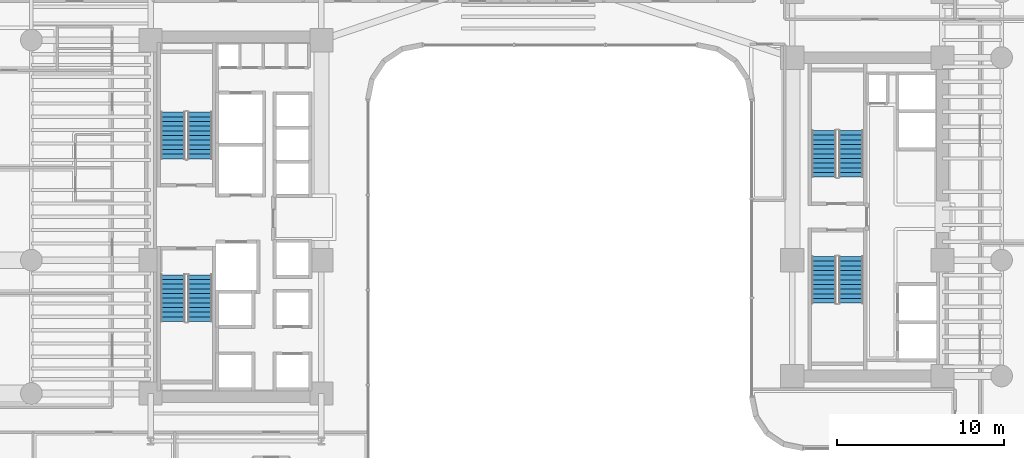
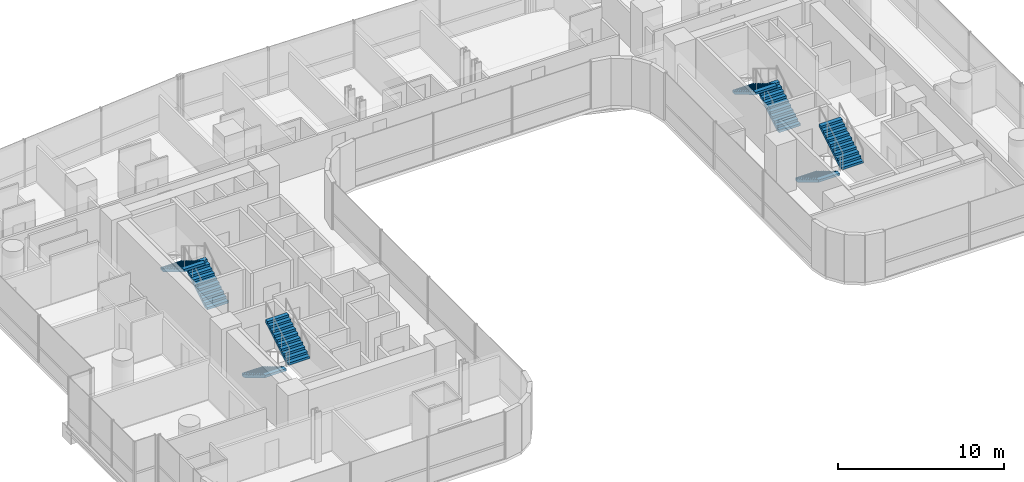
# One storey, part 35 of 40: 8 stair flights, 4 elements without a shape of their own.
"""IFC4 building model written with IfcOpenShell, lengths in metres."""

from ifc_helpers import new_model, si_unit, direction, frame, origin, place, context, subcontext, project, spatial, polyline, outline, extrude, material, type_object, element, aggregate, save


model = new_model("IFC4")

# Units and contexts
model_context = context("Model", 3, precision=1e-05, world=origin(), true_north=direction((0.0, 1.0)))
body_context = subcontext(model_context, "Body", "Model", "MODEL_VIEW")
ifc_project = project(units=[si_unit("LENGTHUNIT", "METRE"), si_unit("AREAUNIT", "SQUARE_METRE"), si_unit("VOLUMEUNIT", "CUBIC_METRE"), si_unit("PLANEANGLEUNIT", "RADIAN"), si_unit("MASSUNIT", "GRAM", prefix="KILO")], contexts=[model_context])

# Site, building, storey
site_placement = place(None, origin())
site = spatial("IfcSite", under=ifc_project, at=site_placement, CompositionType="ELEMENT")
building_placement = place(site_placement, origin())
building = spatial("IfcBuilding", under=site, at=building_placement, Name="Valdorenza Pilgrim Sanctuary Tower", CompositionType="ELEMENT")
storey_placement = place(building_placement, frame((0.0, 0.0, 92.60009765625)))
storey = spatial("IfcBuildingStorey", under=building, at=storey_placement, Name="L23", CompositionType="ELEMENT", Elevation=92.60009765625)

# Stair, stair flights
ifc_material = material(Name="Concrete C40/50", Category="concrete")
stair_type = type_object("IfcStairType", Name="STR-DOG-CORE", PredefinedType="HALF_TURN_STAIR", material=ifc_material)
stair_1_placement = place(storey_placement, origin())
stair_1 = element("IfcStair", 1, at=stair_1_placement, inside=storey, type_object=stair_type, Name="L23 ST-A1", PredefinedType="HALF_TURN_STAIR")
stair_flight_type = type_object("IfcStairFlightType", Name="STF-RC-1400", PredefinedType="STRAIGHT", material=ifc_material)
stair_flight_1_placement = place(storey_placement, frame((-19.679931640625, 3.47998046875, 0.0), z_axis=(0.0, 0.0, 1.0), x_axis=(0.0, 1.0, 0.0)))
stair_flight_1 = element("IfcStairFlight", 2, at=stair_flight_1_placement, type_object=stair_flight_type, Name="ST-A1 flight 1", NumberOfRisers=11, NumberOfTreads=10, PredefinedType="STRAIGHT", RiserHeight=0.168181818, TreadLength=0.28, context=body_context, shape_type="SweptSolid", body=[
    extrude(outline(polyline([(0.0, 0.0), (0.0, 0.168212890625), (0.280029296875, 0.168212890625), (0.280029296875, 0.33642578125), (0.56005859375, 0.33642578125), (0.56005859375, 0.504638671875), (0.840087890625, 0.504638671875), (0.840087890625, 0.672607421875), (1.1201171875, 0.672607421875), (1.1201171875, 0.8408203125), (1.39990234375, 0.8408203125), (1.39990234375, 1.009033203125), (1.679931640625, 1.009033203125), (1.679931640625, 1.17724609375), (1.9599609375, 1.17724609375), (1.9599609375, 1.345458984375), (2.239990234375, 1.345458984375), (2.239990234375, 1.513671875), (2.52001953125, 1.513671875), (2.52001953125, 1.681884765625), (2.800048828125, 1.681884765625), (2.800048828125, 1.85009765625), (2.800048828125, 1.5068359375), (0.291015625, 0.0), (0.0, 0.0)])), frame((0.0, 0.739990234375, 0.0), z_axis=(0.0, -1.0, 0.0), x_axis=(1.0, 0.0, 0.0)), (0.0, 0.0, 1.0), 1.47998046875),
])
stair_flight_2_placement = place(storey_placement, frame((-21.31005859375, 6.280029296875, 1.849853515625), z_axis=(0.0, 0.0, 1.0), x_axis=(0.0, -1.0, 0.0)))
stair_flight_2 = element("IfcStairFlight", 3, at=stair_flight_2_placement, type_object=stair_flight_type, Name="ST-A1 flight 2", NumberOfRisers=11, NumberOfTreads=10, PredefinedType="STRAIGHT", RiserHeight=0.168181818, TreadLength=0.28, context=body_context, shape_type="SweptSolid", body=[
    extrude(outline(polyline([(0.0, 0.0), (0.0, 0.168212890625), (0.280029296875, 0.168212890625), (0.280029296875, 0.33642578125), (0.56005859375, 0.33642578125), (0.56005859375, 0.504638671875), (0.840087890625, 0.504638671875), (0.840087890625, 0.672607421875), (1.1201171875, 0.672607421875), (1.1201171875, 0.8408203125), (1.39990234375, 0.8408203125), (1.39990234375, 1.009033203125), (1.679931640625, 1.009033203125), (1.679931640625, 1.17724609375), (1.9599609375, 1.17724609375), (1.9599609375, 1.345458984375), (2.239990234375, 1.345458984375), (2.239990234375, 1.513671875), (2.52001953125, 1.513671875), (2.52001953125, 1.681884765625), (2.800048828125, 1.681884765625), (2.800048828125, 1.85009765625), (2.800048828125, 1.5068359375), (0.291015625, 0.0), (0.0, 0.0)])), frame((0.0, 0.739990234375, 0.0), z_axis=(0.0, -1.0, 0.0), x_axis=(1.0, 0.0, 0.0)), (0.0, 0.0, 1.0), 1.47998046875),
])
aggregate(stair_1, [stair_flight_1, stair_flight_2])

stair_2_placement = place(storey_placement, origin())
stair_2 = element("IfcStair", 4, at=stair_2_placement, inside=storey, type_object=stair_type, Name="L23 ST-A2", PredefinedType="HALF_TURN_STAIR")
stair_flight_3_placement = place(storey_placement, frame((-21.31005859375, -3.47998046875, 0.0), z_axis=(0.0, 0.0, 1.0), x_axis=(0.0, -1.0, 0.0)))
stair_flight_3 = element("IfcStairFlight", 5, at=stair_flight_3_placement, type_object=stair_flight_type, Name="ST-A2 flight 1", NumberOfRisers=11, NumberOfTreads=10, PredefinedType="STRAIGHT", RiserHeight=0.168181818, TreadLength=0.28, context=body_context, shape_type="SweptSolid", body=[
    extrude(outline(polyline([(0.0, 0.0), (0.0, 0.168212890625), (0.280029296875, 0.168212890625), (0.280029296875, 0.33642578125), (0.56005859375, 0.33642578125), (0.56005859375, 0.504638671875), (0.840087890625, 0.504638671875), (0.840087890625, 0.672607421875), (1.1201171875, 0.672607421875), (1.1201171875, 0.8408203125), (1.39990234375, 0.8408203125), (1.39990234375, 1.009033203125), (1.679931640625, 1.009033203125), (1.679931640625, 1.17724609375), (1.9599609375, 1.17724609375), (1.9599609375, 1.345458984375), (2.239990234375, 1.345458984375), (2.239990234375, 1.513671875), (2.52001953125, 1.513671875), (2.52001953125, 1.681884765625), (2.800048828125, 1.681884765625), (2.800048828125, 1.85009765625), (2.800048828125, 1.5068359375), (0.291015625, 0.0), (0.0, 0.0)])), frame((0.0, 0.739990234375, 0.0), z_axis=(0.0, -1.0, 0.0), x_axis=(1.0, 0.0, 0.0)), (0.0, 0.0, 1.0), 1.47998046875),
])
stair_flight_4_placement = place(storey_placement, frame((-19.679931640625, -6.280029296875, 1.849853515625), z_axis=(0.0, 0.0, 1.0), x_axis=(0.0, 1.0, 0.0)))
stair_flight_4 = element("IfcStairFlight", 6, at=stair_flight_4_placement, type_object=stair_flight_type, Name="ST-A2 flight 2", NumberOfRisers=11, NumberOfTreads=10, PredefinedType="STRAIGHT", RiserHeight=0.168181818, TreadLength=0.28, context=body_context, shape_type="SweptSolid", body=[
    extrude(outline(polyline([(0.0, 0.0), (0.0, 0.168212890625), (0.280029296875, 0.168212890625), (0.280029296875, 0.33642578125), (0.56005859375, 0.33642578125), (0.56005859375, 0.504638671875), (0.840087890625, 0.504638671875), (0.840087890625, 0.672607421875), (1.1201171875, 0.672607421875), (1.1201171875, 0.8408203125), (1.39990234375, 0.8408203125), (1.39990234375, 1.009033203125), (1.679931640625, 1.009033203125), (1.679931640625, 1.17724609375), (1.9599609375, 1.17724609375), (1.9599609375, 1.345458984375), (2.239990234375, 1.345458984375), (2.239990234375, 1.513671875), (2.52001953125, 1.513671875), (2.52001953125, 1.681884765625), (2.800048828125, 1.681884765625), (2.800048828125, 1.85009765625), (2.800048828125, 1.5068359375), (0.291015625, 0.0), (0.0, 0.0)])), frame((0.0, 0.739990234375, 0.0), z_axis=(0.0, -1.0, 0.0), x_axis=(1.0, 0.0, 0.0)), (0.0, 0.0, 1.0), 1.47998046875),
])
aggregate(stair_2, [stair_flight_3, stair_flight_4])

stair_3_placement = place(storey_placement, origin())
stair_3 = element("IfcStair", 7, at=stair_3_placement, inside=storey, type_object=stair_type, Name="L23 ST-B1", PredefinedType="HALF_TURN_STAIR")
stair_flight_5_placement = place(storey_placement, frame((19.3701171875, 2.3798828125, 0.0), z_axis=(0.0, 0.0, 1.0), x_axis=(0.0, 1.0, 0.0)))
stair_flight_5 = element("IfcStairFlight", 8, at=stair_flight_5_placement, type_object=stair_flight_type, Name="ST-B1 flight 1", NumberOfRisers=11, NumberOfTreads=10, PredefinedType="STRAIGHT", RiserHeight=0.168181818, TreadLength=0.28, context=body_context, shape_type="SweptSolid", body=[
    extrude(outline(polyline([(0.0, 0.0), (0.0, 0.168212890625), (0.280029296875, 0.168212890625), (0.280029296875, 0.33642578125), (0.56005859375, 0.33642578125), (0.56005859375, 0.504638671875), (0.840087890625, 0.504638671875), (0.840087890625, 0.672607421875), (1.1201171875, 0.672607421875), (1.1201171875, 0.8408203125), (1.39990234375, 0.8408203125), (1.39990234375, 1.009033203125), (1.679931640625, 1.009033203125), (1.679931640625, 1.17724609375), (1.9599609375, 1.17724609375), (1.9599609375, 1.345458984375), (2.239990234375, 1.345458984375), (2.239990234375, 1.513671875), (2.52001953125, 1.513671875), (2.52001953125, 1.681884765625), (2.800048828125, 1.681884765625), (2.800048828125, 1.85009765625), (2.800048828125, 1.5068359375), (0.291015625, 0.0), (0.0, 0.0)])), frame((0.0, 0.739990234375, 0.0), z_axis=(0.0, -1.0, 0.0), x_axis=(1.0, 0.0, 0.0)), (0.0, 0.0, 1.0), 1.47998046875),
])
stair_flight_6_placement = place(storey_placement, frame((17.739990234375, 5.179931640625, 1.849853515625), z_axis=(0.0, 0.0, 1.0), x_axis=(0.0, -1.0, 0.0)))
stair_flight_6 = element("IfcStairFlight", 9, at=stair_flight_6_placement, type_object=stair_flight_type, Name="ST-B1 flight 2", NumberOfRisers=11, NumberOfTreads=10, PredefinedType="STRAIGHT", RiserHeight=0.168181818, TreadLength=0.28, context=body_context, shape_type="SweptSolid", body=[
    extrude(outline(polyline([(0.0, 0.0), (0.0, 0.168212890625), (0.280029296875, 0.168212890625), (0.280029296875, 0.33642578125), (0.56005859375, 0.33642578125), (0.56005859375, 0.504638671875), (0.840087890625, 0.504638671875), (0.840087890625, 0.672607421875), (1.1201171875, 0.672607421875), (1.1201171875, 0.8408203125), (1.39990234375, 0.8408203125), (1.39990234375, 1.009033203125), (1.679931640625, 1.009033203125), (1.679931640625, 1.17724609375), (1.9599609375, 1.17724609375), (1.9599609375, 1.345458984375), (2.239990234375, 1.345458984375), (2.239990234375, 1.513671875), (2.52001953125, 1.513671875), (2.52001953125, 1.681884765625), (2.800048828125, 1.681884765625), (2.800048828125, 1.85009765625), (2.800048828125, 1.5068359375), (0.291015625, 0.0), (0.0, 0.0)])), frame((0.0, 0.739990234375, 0.0), z_axis=(0.0, -1.0, 0.0), x_axis=(1.0, 0.0, 0.0)), (0.0, 0.0, 1.0), 1.47998046875),
])
aggregate(stair_3, [stair_flight_5, stair_flight_6])

stair_4_placement = place(storey_placement, origin())
stair_4 = element("IfcStair", 10, at=stair_4_placement, inside=storey, type_object=stair_type, Name="L23 ST-B2", PredefinedType="HALF_TURN_STAIR")
stair_flight_7_placement = place(storey_placement, frame((17.739990234375, -2.3798828125, 0.0), z_axis=(0.0, 0.0, 1.0), x_axis=(0.0, -1.0, 0.0)))
stair_flight_7 = element("IfcStairFlight", 11, at=stair_flight_7_placement, type_object=stair_flight_type, Name="ST-B2 flight 1", NumberOfRisers=11, NumberOfTreads=10, PredefinedType="STRAIGHT", RiserHeight=0.168181818, TreadLength=0.28, context=body_context, shape_type="SweptSolid", body=[
    extrude(outline(polyline([(0.0, 0.0), (0.0, 0.168212890625), (0.280029296875, 0.168212890625), (0.280029296875, 0.33642578125), (0.56005859375, 0.33642578125), (0.56005859375, 0.504638671875), (0.840087890625, 0.504638671875), (0.840087890625, 0.672607421875), (1.1201171875, 0.672607421875), (1.1201171875, 0.8408203125), (1.39990234375, 0.8408203125), (1.39990234375, 1.009033203125), (1.679931640625, 1.009033203125), (1.679931640625, 1.17724609375), (1.9599609375, 1.17724609375), (1.9599609375, 1.345458984375), (2.239990234375, 1.345458984375), (2.239990234375, 1.513671875), (2.52001953125, 1.513671875), (2.52001953125, 1.681884765625), (2.800048828125, 1.681884765625), (2.800048828125, 1.85009765625), (2.800048828125, 1.5068359375), (0.291015625, 0.0), (0.0, 0.0)])), frame((0.0, 0.739990234375, 0.0), z_axis=(0.0, -1.0, 0.0), x_axis=(1.0, 0.0, 0.0)), (0.0, 0.0, 1.0), 1.47998046875),
])
stair_flight_8_placement = place(storey_placement, frame((19.3701171875, -5.179931640625, 1.849853515625), z_axis=(0.0, 0.0, 1.0), x_axis=(0.0, 1.0, 0.0)))
stair_flight_8 = element("IfcStairFlight", 12, at=stair_flight_8_placement, type_object=stair_flight_type, Name="ST-B2 flight 2", NumberOfRisers=11, NumberOfTreads=10, PredefinedType="STRAIGHT", RiserHeight=0.168181818, TreadLength=0.28, context=body_context, shape_type="SweptSolid", body=[
    extrude(outline(polyline([(0.0, 0.0), (0.0, 0.168212890625), (0.280029296875, 0.168212890625), (0.280029296875, 0.33642578125), (0.56005859375, 0.33642578125), (0.56005859375, 0.504638671875), (0.840087890625, 0.504638671875), (0.840087890625, 0.672607421875), (1.1201171875, 0.672607421875), (1.1201171875, 0.8408203125), (1.39990234375, 0.8408203125), (1.39990234375, 1.009033203125), (1.679931640625, 1.009033203125), (1.679931640625, 1.17724609375), (1.9599609375, 1.17724609375), (1.9599609375, 1.345458984375), (2.239990234375, 1.345458984375), (2.239990234375, 1.513671875), (2.52001953125, 1.513671875), (2.52001953125, 1.681884765625), (2.800048828125, 1.681884765625), (2.800048828125, 1.85009765625), (2.800048828125, 1.5068359375), (0.291015625, 0.0), (0.0, 0.0)])), frame((0.0, 0.739990234375, 0.0), z_axis=(0.0, -1.0, 0.0), x_axis=(1.0, 0.0, 0.0)), (0.0, 0.0, 1.0), 1.47998046875),
])
aggregate(stair_4, [stair_flight_7, stair_flight_8])

save(model, "model.ifc")
